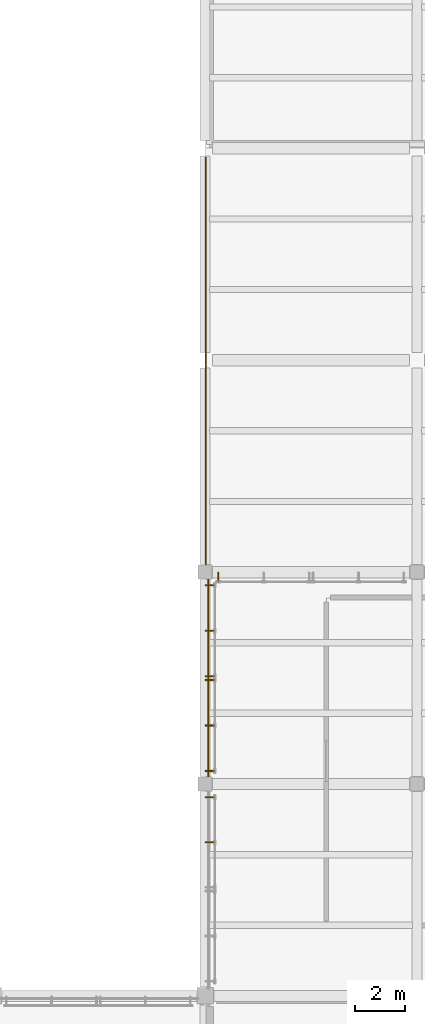
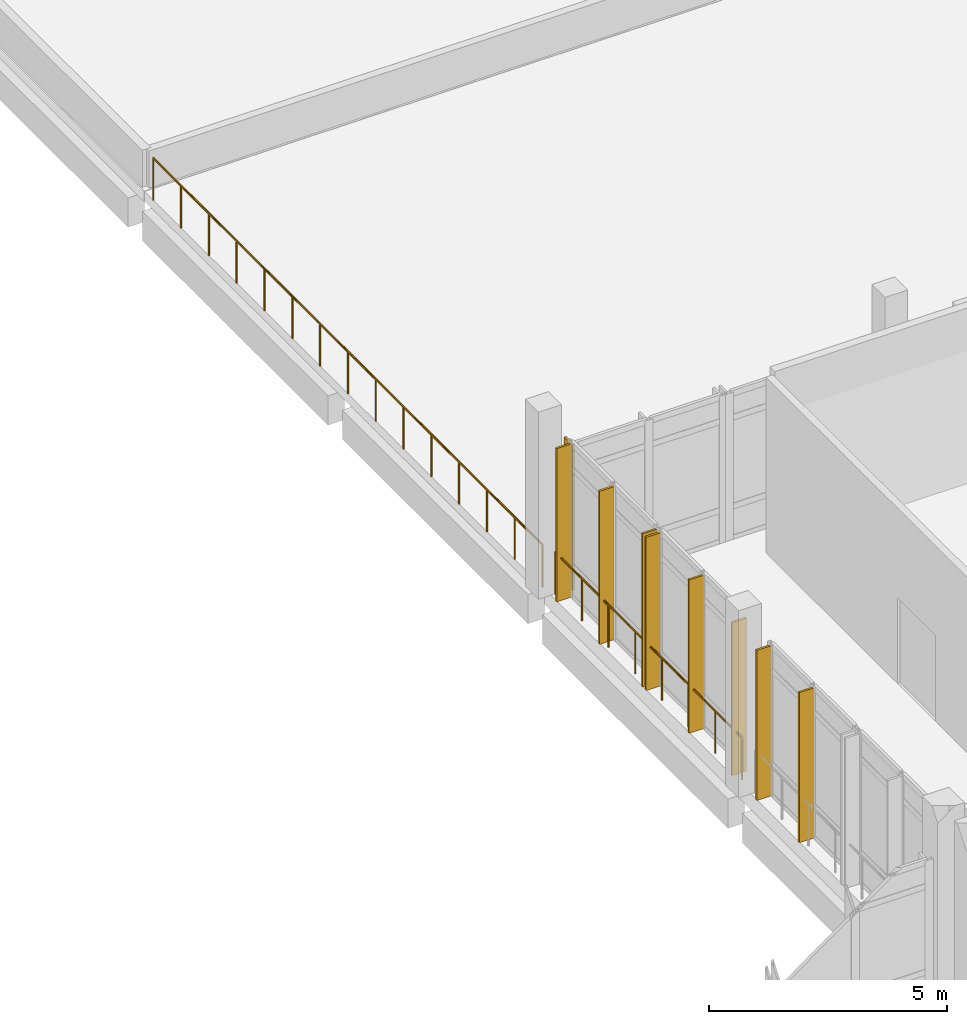
# One storey, part 60 of 63: 9 shading devices, 2 railings.
"""IFC4 building model written with IfcOpenShell, lengths in metres."""

from ifc_helpers import new_model, si_unit, derived_unit, direction, frame, origin, origin_2d, place, context, subcontext, project, spatial, rectangle, circle, extrude, material, type_object, element, save


model = new_model("IFC4")

# Units and contexts
model_context = context("Model", 3, precision=1e-05, world=origin(), true_north=direction((0.0, 1.0)))
body_context = subcontext(model_context, "Body", "Model", "MODEL_VIEW")
ifc_project = project(units=[si_unit("LENGTHUNIT", "METRE"), si_unit("AREAUNIT", "SQUARE_METRE"), si_unit("VOLUMEUNIT", "CUBIC_METRE"), si_unit("PLANEANGLEUNIT", "RADIAN"), si_unit("MASSUNIT", "GRAM", prefix="KILO"), derived_unit("THERMALTRANSMITTANCEUNIT", [(si_unit("POWERUNIT", "WATT"), 1), (si_unit("LENGTHUNIT", "METRE"), -2), (si_unit("THERMODYNAMICTEMPERATUREUNIT", "KELVIN"), -1)])], contexts=[model_context])

# Site, building, storey
site_placement = place(None, origin())
site = spatial("IfcSite", under=ifc_project, at=site_placement, CompositionType="ELEMENT")
building_placement = place(site_placement, origin())
building = spatial("IfcBuilding", under=site, at=building_placement, Name="Elbkamm Science Centre", CompositionType="ELEMENT")
storey_placement = place(building_placement, frame((0.0, 0.0, 5.10009765625)))
storey = spatial("IfcBuildingStorey", under=building, at=storey_placement, Name="L01", CompositionType="ELEMENT", Elevation=5.10009765625)

# Railings
ifc_material_1 = material(Name="Stainless steel EN 1.4401", Category="steel")
railing_type = type_object("IfcRailingType", Name="RAIL-EXT-GUARD-1100", PredefinedType="GUARDRAIL", material=ifc_material_1)
railing_1_placement = place(storey_placement, frame((126.02490234375, 75.679931640625, 0.0)))
element("IfcRailing", 1, at=railing_1_placement, inside=storey, type_object=railing_type, Name="L01 Outdoor Terrace Perimeter Guard 004", PredefinedType="GUARDRAIL", context=body_context, shape_type="SweptSolid", body=[
    extrude(circle(Radius=0.02392578125, at=origin_2d()), frame((0.0, 0.0, 1.078125), z_axis=(0.0, 1.0, 0.0), x_axis=(-1.0, 0.0, 0.0)), (0.0, 0.0, 1.0), 16.35009765625),
    extrude(circle(Radius=0.02001953125, at=origin_2d()), origin(), (0.0, 0.0, 1.0), 1.048095703125),
    extrude(circle(Radius=0.02001953125, at=origin_2d()), frame((0.0, 1.16796875, 0.0)), (0.0, 0.0, 1.0), 1.048095703125),
    extrude(circle(Radius=0.02001953125, at=origin_2d()), frame((0.0, 2.335693359375, 0.0)), (0.0, 0.0, 1.0), 1.048095703125),
    extrude(circle(Radius=0.02001953125, at=origin_2d()), frame((0.0, 3.503662109375, 0.0)), (0.0, 0.0, 1.0), 1.048095703125),
    extrude(circle(Radius=0.02001953125, at=origin_2d()), frame((0.0, 4.67138671875, 0.0)), (0.0, 0.0, 1.0), 1.048095703125),
    extrude(circle(Radius=0.02001953125, at=origin_2d()), frame((0.0, 5.83935546875, 0.0)), (0.0, 0.0, 1.0), 1.048095703125),
    extrude(circle(Radius=0.02001953125, at=origin_2d()), frame((0.0, 7.007080078125, 0.0)), (0.0, 0.0, 1.0), 1.048095703125),
    extrude(circle(Radius=0.02001953125, at=origin_2d()), frame((0.0, 8.175048828125, 0.0)), (0.0, 0.0, 1.0), 1.048095703125),
    extrude(circle(Radius=0.02001953125, at=origin_2d()), frame((0.0, 9.343017578125, 0.0)), (0.0, 0.0, 1.0), 1.048095703125),
    extrude(circle(Radius=0.02001953125, at=origin_2d()), frame((0.0, 10.5107421875, 0.0)), (0.0, 0.0, 1.0), 1.048095703125),
    extrude(circle(Radius=0.02001953125, at=origin_2d()), frame((0.0, 11.6787109375, 0.0)), (0.0, 0.0, 1.0), 1.048095703125),
    extrude(circle(Radius=0.02001953125, at=origin_2d()), frame((0.0, 12.846435546875, 0.0)), (0.0, 0.0, 1.0), 1.048095703125),
    extrude(circle(Radius=0.02001953125, at=origin_2d()), frame((0.0, 14.014404296875, 0.0)), (0.0, 0.0, 1.0), 1.048095703125),
    extrude(circle(Radius=0.02001953125, at=origin_2d()), frame((0.0, 15.18212890625, 0.0)), (0.0, 0.0, 1.0), 1.048095703125),
    extrude(circle(Radius=0.02001953125, at=origin_2d()), frame((0.0, 16.35009765625, 0.0)), (0.0, 0.0, 1.0), 1.048095703125),
])
railing_2_placement = place(storey_placement, frame((126.125, 67.478759765625, 0.0)))
element("IfcRailing", 2, at=railing_2_placement, inside=storey, type_object=railing_type, Name="L01 Slab Edge Perimeter Guard 025", PredefinedType="GUARDRAIL", context=body_context, shape_type="SweptSolid", body=[
    extrude(circle(Radius=0.02392578125, at=origin_2d()), frame((0.0, 0.0, 1.078125), z_axis=(0.0, 1.0, 0.0), x_axis=(-1.0, 0.0, 0.0)), (0.0, 0.0, 1.0), 7.842529296875),
    extrude(circle(Radius=0.02001953125, at=origin_2d()), origin(), (0.0, 0.0, 1.0), 1.048095703125),
    extrude(circle(Radius=0.02001953125, at=origin_2d()), frame((0.0, 1.120361328125, 0.0)), (0.0, 0.0, 1.0), 1.048095703125),
    extrude(circle(Radius=0.02001953125, at=origin_2d()), frame((0.0, 2.24072265625, 0.0)), (0.0, 0.0, 1.0), 1.048095703125),
    extrude(circle(Radius=0.02001953125, at=origin_2d()), frame((0.0, 3.361083984375, 0.0)), (0.0, 0.0, 1.0), 1.048095703125),
    extrude(circle(Radius=0.02001953125, at=origin_2d()), frame((0.0, 4.4814453125, 0.0)), (0.0, 0.0, 1.0), 1.048095703125),
    extrude(circle(Radius=0.02001953125, at=origin_2d()), frame((0.0, 5.601806640625, 0.0)), (0.0, 0.0, 1.0), 1.048095703125),
    extrude(circle(Radius=0.02001953125, at=origin_2d()), frame((0.0, 6.72216796875, 0.0)), (0.0, 0.0, 1.0), 1.048095703125),
    extrude(circle(Radius=0.02001953125, at=origin_2d()), frame((0.0, 7.842529296875, 0.0)), (0.0, 0.0, 1.0), 1.048095703125),
])

# Shading devices
ifc_material_2 = material(Name="Terracotta-ochre powder-coated aluminium EN AW-6060", Category="masonry")
shading_device_type = type_object("IfcShadingDeviceType", Name="SHD-LOUVRE-420", PredefinedType="USERDEFINED", material=ifc_material_2)
for number, where, z_axis, x_axis, name in (
    (3, (126.18505859375, 64.892822265625, -0.000244140625), (0.0, 0.0, 1.0), (-1.0, 0.0, 0.0), "L01 Brise-Soleil Sunshade Fin 0194"),
    (4, (126.18505859375, 66.6787109375, -0.000244140625), (0.0, 0.0, 1.0), (-1.0, 0.0, 0.0), "L01 Brise-Soleil Sunshade Fin 0195"),
):
    element("IfcShadingDevice", number, at=place(storey_placement, frame(where, z_axis=z_axis, x_axis=x_axis)), inside=storey, type_object=shading_device_type, Name=name, ObjectType="LOUVRE", PredefinedType="USERDEFINED", context=body_context, shape_type="SweptSolid", body=[
        extrude(rectangle(XDim=0.35009765625, YDim=0.050048828125, at=origin_2d()), origin(), (0.0, 0.0, 1.0), 3.85009765625),
    ])
for number, where, z_axis, x_axis, name in (
    (5, (126.18505859375, 67.72119140625, 0.0), (0.0, 0.0, 1.0), (-1.0, 0.0, 0.0), "L01 Brise-Soleil Sunshade Fin 0196"),
    (6, (126.18505859375, 69.523193359375, 0.0), (0.0, 0.0, 1.0), (-1.0, 0.0, 0.0), "L01 Brise-Soleil Sunshade Fin 0197"),
    (7, (126.18505859375, 71.324951171875, 0.0), (0.0, 0.0, 1.0), (-1.0, 0.0, 0.0), "L01 Brise-Soleil Sunshade Fin 0198"),
    (8, (126.18505859375, 71.47509765625, 0.0), (0.0, 0.0, 1.0), (-1.0, 0.0, 0.0), "L01 Brise-Soleil Sunshade Fin 0199"),
    (9, (126.18505859375, 73.27685546875, 0.0), (0.0, 0.0, 1.0), (-1.0, 0.0, 0.0), "L01 Brise-Soleil Sunshade Fin 0200"),
    (10, (126.18505859375, 75.07861328125, 0.0), (0.0, 0.0, 1.0), (-1.0, 0.0, 0.0), "L01 Brise-Soleil Sunshade Fin 0201"),
):
    element("IfcShadingDevice", number, at=place(storey_placement, frame(where, z_axis=z_axis, x_axis=x_axis)), inside=storey, type_object=shading_device_type, Name=name, ObjectType="LOUVRE", PredefinedType="USERDEFINED", context=body_context, shape_type="SweptSolid", body=[
        extrude(rectangle(XDim=0.35009765625, YDim=0.050048828125, at=origin_2d()), origin(), (0.0, 0.0, 1.0), 3.929931640625),
    ])
shading_device_placement = place(storey_placement, frame((126.521240234375, 75.4150390625, 0.0), z_axis=(0.0, 0.0, 1.0), x_axis=(0.0, 1.0, 0.0)))
element("IfcShadingDevice", 11, at=shading_device_placement, inside=storey, type_object=shading_device_type, Name="L01 Brise-Soleil Sunshade Fin 0202", ObjectType="LOUVRE", PredefinedType="USERDEFINED", context=body_context, shape_type="SweptSolid", body=[
    extrude(rectangle(XDim=0.35009765625, YDim=0.050048828125, at=origin_2d()), origin(), (0.0, 0.0, 1.0), 3.72998046875),
])

save(model, "model.ifc")
